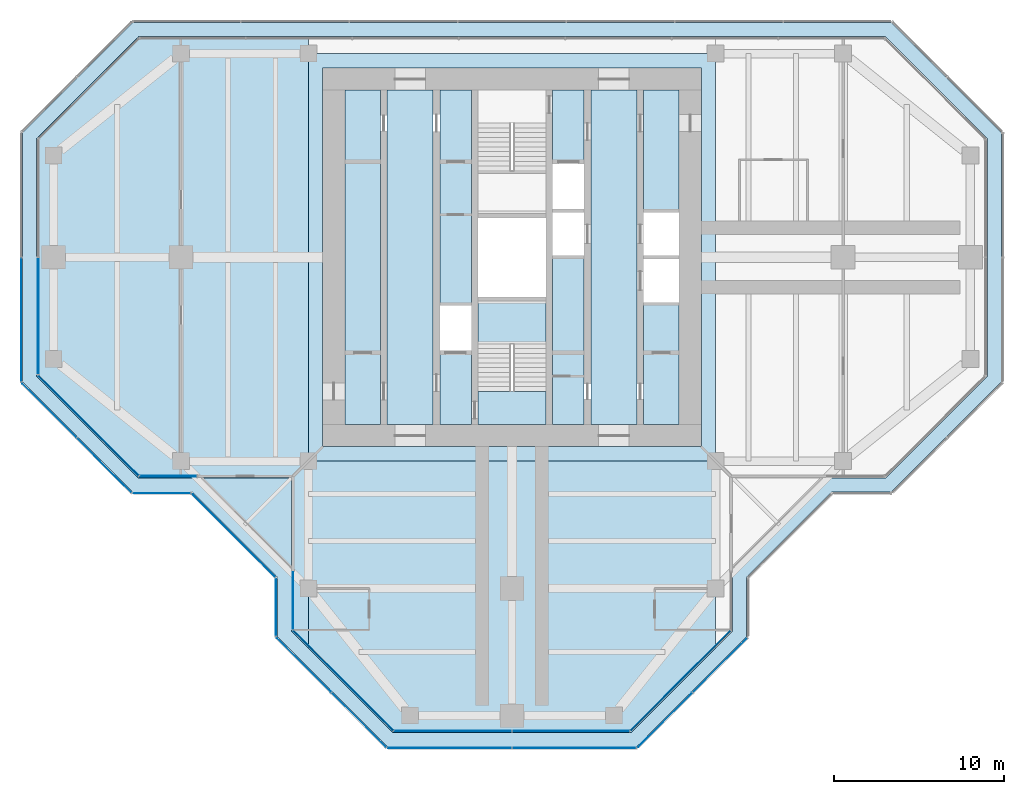
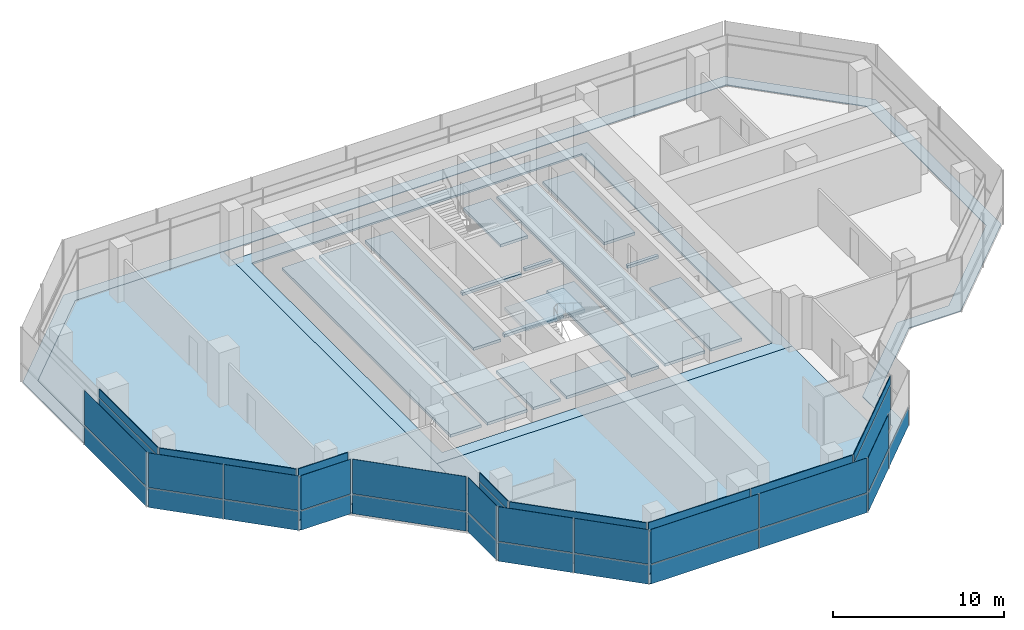
# One storey, part 9 of 15: 40 plates, 7 slabs, 16 elements without a shape of their own.
"""IFC4 building model written with IfcOpenShell, lengths in metres."""

import ifcopenshell
import ifcopenshell.guid

model = None  # the IFC model being written
_history = None  # IfcOwnerHistory: only IFC2X3 demands one
_inside = {}  # id of a spatial element -> (the spatial element, [elements in it])
_under = {}  # id of a project, library or spatial element -> (it, [spatial elements below it])
_declared = {}  # id of a project -> (the project, [libraries it declares])
_typed = {}  # id of a type object -> (the type object, [elements of that type])
_made_of = {}  # id of a material, layer set ... -> (it, [elements and type objects made of it])


def new_model(schema):
    """Start an empty IFC model of exactly this schema.

    Asked for "IFC4X3", IfcOpenShell would pick the latest addendum, in which some entities
    have other attributes; the version numbers below select the first issue.
    IFC2X3 requires an IfcOwnerHistory on every rooted entity: one is made here for all.
    """
    global model, _history
    if schema == "IFC4X3":
        model = ifcopenshell.file(schema_version=(4, 3, 0, 0))
    else:
        model = ifcopenshell.file(schema=schema)
    _inside.clear()
    _under.clear()
    _declared.clear()
    _typed.clear()
    _made_of.clear()
    _history = None
    if model.schema == "IFC2X3":
        org = make("IfcOrganization", Name="unknown")
        user = make(
            "IfcPersonAndOrganization",
            ThePerson=make("IfcPerson", FamilyName="unknown"),
            TheOrganization=org,
        )
        app = make(
            "IfcApplication",
            ApplicationDeveloper=org,
            Version="unknown",
            ApplicationFullName="unknown",
            ApplicationIdentifier="unknown",
        )
        _history = make(
            "IfcOwnerHistory",
            OwningUser=user,
            OwningApplication=app,
            ChangeAction="ADDED",
            CreationDate=0,
        )
    return model


def make(cls, **values):
    """One entity of the class cls with the attributes given. An attribute that is None is left unset."""
    return model.create_entity(
        cls, **{name: value for name, value in values.items() if value is not None}
    )


def rooted(cls, **values):
    """An entity with a GlobalId (a new one), such as an element, a storey or a relation."""
    return make(cls, GlobalId=ifcopenshell.guid.new(), OwnerHistory=_history, **values)


def si_unit(unit_type, name, prefix=None):
    """IfcSIUnit, for example si_unit("LENGTHUNIT", "METRE", prefix="MILLI")."""
    return make("IfcSIUnit", UnitType=unit_type, Prefix=prefix, Name=name)


def assignment(units):
    """IfcUnitAssignment: the units of a project."""
    return None if units is None else make("IfcUnitAssignment", Units=units)


def point(xyz):
    """IfcCartesianPoint."""
    return None if xyz is None else make("IfcCartesianPoint", Coordinates=xyz)


def direction(xyz):
    """IfcDirection."""
    return None if xyz is None else make("IfcDirection", DirectionRatios=xyz)


def frame(location, z_axis=None, x_axis=None):
    """IfcAxis2Placement3D, a coordinate frame: its origin and axes. An axis left out is left unset."""
    return make(
        "IfcAxis2Placement3D",
        Location=point(location),
        Axis=direction(z_axis),
        RefDirection=direction(x_axis),
    )


def frame_2d(location, x_axis=None):
    """IfcAxis2Placement2D, a coordinate frame in the plane: its origin and x axis."""
    return make(
        "IfcAxis2Placement2D", Location=point(location), RefDirection=direction(x_axis)
    )


def origin():
    """The frame at (0, 0, 0) with its axes left unset."""
    return frame((0.0, 0.0, 0.0))


def origin_2d():
    """The frame at (0, 0) in the plane with its x axis left unset."""
    return frame_2d((0.0, 0.0))


def place(relative_to, where):
    """IfcLocalPlacement: puts the frame where relative to a parent placement (None: the world)."""
    return make(
        "IfcLocalPlacement", PlacementRelTo=relative_to, RelativePlacement=where
    )


def context(
    kind, dimensions, precision=None, world=None, true_north=None, identifier=None
):
    """IfcGeometricRepresentationContext, for example the 3D "Model" context."""
    return make(
        "IfcGeometricRepresentationContext",
        ContextIdentifier=identifier,
        ContextType=kind,
        CoordinateSpaceDimension=dimensions,
        Precision=precision,
        WorldCoordinateSystem=world,
        TrueNorth=true_north,
    )


def subcontext(parent, identifier, kind, view, scale=None):
    """IfcGeometricRepresentationSubContext, for example "Body" below "Model"."""
    return make(
        "IfcGeometricRepresentationSubContext",
        ContextIdentifier=identifier,
        ContextType=kind,
        ParentContext=parent,
        TargetScale=scale,
        TargetView=view,
    )


def project(units=None, contexts=None):
    """IfcProject with its units and contexts."""
    return rooted(
        "IfcProject",
        Name="project",
        RepresentationContexts=contexts,
        UnitsInContext=assignment(units),
    )


def spatial(cls, under=None, at=None, **own):
    """A site, building, storey or space (cls), placed at a placement, below another one or the project."""
    s = rooted(cls, ObjectPlacement=at, **own)
    if under is not None:
        _under.setdefault(under.id(), (under, []))[1].append(s)
    return s


def polyline(points):
    """IfcPolyline through the points."""
    return make("IfcPolyline", Points=[point(p) for p in points])


def profile(cls, at=None, kind="AREA", **sizes):
    """A parametric profile (cls). Its sizes go by their IFC names, for example OverallWidth=200.0."""
    return make(cls, ProfileType=kind, Position=at, **sizes)


def rectangle(**sizes):
    """IfcRectangleProfileDef."""
    return profile("IfcRectangleProfileDef", **sizes)


def outline(outer, holes=None, kind="AREA"):
    """IfcArbitraryClosedProfileDef: a profile drawn as a closed curve; with holes, ...WithVoids."""
    if holes is None:
        return make("IfcArbitraryClosedProfileDef", ProfileType=kind, OuterCurve=outer)
    return make(
        "IfcArbitraryProfileDefWithVoids",
        ProfileType=kind,
        OuterCurve=outer,
        InnerCurves=holes,
    )


def extrude(swept, where, along, depth):
    """IfcExtrudedAreaSolid: the profile swept, set in the frame where, extruded along a direction by depth."""
    return make(
        "IfcExtrudedAreaSolid",
        SweptArea=swept,
        Position=where,
        ExtrudedDirection=direction(along),
        Depth=depth,
    )


def shape(context_of_items, identifier, shape_type, items):
    """IfcShapeRepresentation: the items that make up one representation, for example the "Body"."""
    return make(
        "IfcShapeRepresentation",
        ContextOfItems=context_of_items,
        RepresentationIdentifier=identifier,
        RepresentationType=shape_type,
        Items=items,
    )


def material(Name=None, Category=None):
    """IfcMaterial."""
    return make("IfcMaterial", Name=Name, Category=Category)


def layer(
    of_material, thickness, ventilated=None, Name=None, Category=None, Priority=None
):
    """IfcMaterialLayer: one layer of a wall or slab, of a material (None: an air gap)."""
    return make(
        "IfcMaterialLayer",
        Material=of_material,
        LayerThickness=thickness,
        IsVentilated=ventilated,
        Name=Name,
        Category=Category,
        Priority=Priority,
    )


def layer_set(layers, Name=None):
    """IfcMaterialLayerSet."""
    return make("IfcMaterialLayerSet", MaterialLayers=layers, LayerSetName=Name)


def made_of(thing, what):
    """Note that an element or type object is made of a material, layer set ...; save() writes the relation."""
    if what is not None:
        _made_of.setdefault(what.id(), (what, []))[1].append(thing)
    return thing


def type_object(cls, material=None, **own):
    """A type object (cls), such as IfcWallType, which elements share."""
    return made_of(rooted(cls, **own), material)


def element(
    cls,
    number,
    at=None,
    inside=None,
    cuts=None,
    type_object=None,
    material=None,
    context=None,
    identifier="Body",
    shape_type=None,
    held_by="IfcProductDefinitionShape",
    body=None,
    shapes=None,
    **own,
):
    """One element of the class cls, such as IfcWall. Its Tag is "e" and its number.

    at: its placement. inside: the storey or other place that contains it. cuts: it is an
    opening in that element (IfcRelVoidsElement). A single representation is given by context,
    identifier, shape_type and body (its items); several are given by shapes. held_by: the class
    of the entity that holds the representations. save() writes the other relations.
    """
    e = rooted(cls, Tag="e%d" % number, ObjectPlacement=at, **own)
    if body is not None:
        shapes = [shape(context, identifier, shape_type, body)]
    if shapes is not None:
        e.Representation = make(held_by, Representations=shapes)
    if inside is not None:
        _inside.setdefault(inside.id(), (inside, []))[1].append(e)
    if cuts is not None:
        rooted(
            "IfcRelVoidsElement", RelatingBuildingElement=cuts, RelatedOpeningElement=e
        )
    if type_object is not None:
        _typed.setdefault(type_object.id(), (type_object, []))[1].append(e)
    return made_of(e, material)


def aggregate(whole, parts):
    """IfcRelAggregates: a whole, such as a stair, and the parts it consists of."""
    return rooted("IfcRelAggregates", RelatingObject=whole, RelatedObjects=parts)


def save(model, path):
    """Write the relations noted so far, then the file.

    IfcRelAggregates (storeys below a building ...), IfcRelContainedInSpatialStructure (elements
    in a storey), IfcRelDefinesByType, IfcRelAssociatesMaterial and IfcRelDeclares: one each for
    every whole, place, type object, material and project.
    """
    for whole, parts in _under.values():
        aggregate(whole, parts)
    for where, things in _inside.values():
        rooted(
            "IfcRelContainedInSpatialStructure",
            RelatedElements=things,
            RelatingStructure=where,
        )
    for kind, things in _typed.values():
        rooted("IfcRelDefinesByType", RelatedObjects=things, RelatingType=kind)
    for what, things in _made_of.values():
        rooted("IfcRelAssociatesMaterial", RelatedObjects=things, RelatingMaterial=what)
    for by, libraries in _declared.values():
        rooted("IfcRelDeclares", RelatingContext=by, RelatedDefinitions=libraries)
    model.write(path)


model = new_model("IFC4")

# Units and contexts
model_context = context("Model", 3, precision=1e-05, world=origin(), true_north=direction((0.0, 1.0)))
body_context = subcontext(model_context, "Body", "Model", "MODEL_VIEW")
ifc_project = project(units=[si_unit("LENGTHUNIT", "METRE"), si_unit("AREAUNIT", "SQUARE_METRE"), si_unit("VOLUMEUNIT", "CUBIC_METRE"), si_unit("PLANEANGLEUNIT", "RADIAN"), si_unit("MASSUNIT", "GRAM", prefix="KILO")], contexts=[model_context])

# Site, building, storey
site_placement = place(None, origin())
site = spatial("IfcSite", under=ifc_project, at=site_placement, CompositionType="ELEMENT")
building_placement = place(site_placement, origin())
building = spatial("IfcBuilding", under=site, at=building_placement, Name="Mizan Broadcast Tower", CompositionType="ELEMENT")
storey_placement = place(building_placement, frame((0.0, 0.0, 302.39990234375)))
storey = spatial("IfcBuildingStorey", under=building, at=storey_placement, Name="L72", CompositionType="ELEMENT", Elevation=302.39990234375)

# Plate
ifc_material_1 = material(Name="Aluminium grating", Category="aluminium")
ifc_layer_1 = layer(ifc_material_1, 0.050048828125)
ifc_layer_set_1 = layer_set([ifc_layer_1], Name="Aluminium grating")
plate_type_1 = type_object("IfcPlateType", Name="CAVITY GRATING", PredefinedType="USERDEFINED", material=ifc_layer_set_1)
plate_1_placement = place(storey_placement, frame((0.0, 0.0, -0.0498046875)))
element("IfcPlate", 1, at=plate_1_placement, inside=storey, type_object=plate_type_1, Name="Cavity grating L72", ObjectType="GRATING", PredefinedType="USERDEFINED", context=body_context, shape_type="SweptSolid", body=[
    extrude(outline(polyline([(-22.339599609375, 13.820068359375), (-28.820068359375, 7.339599609375), (-28.820068359375, -7.339599609375), (-22.339599609375, -13.820068359375), (-18.839599609375, -13.820068359375), (-13.820068359375, -18.839599609375), (-13.820068359375, -22.339599609375), (-7.339599609375, -28.820068359375), (7.339599609375, -28.820068359375), (13.820068359375, -22.339599609375), (13.820068359375, -18.839599609375), (18.839599609375, -13.820068359375), (22.339599609375, -13.820068359375), (28.820068359375, -7.339599609375), (28.820068359375, 7.339599609375), (22.339599609375, 13.820068359375), (-22.339599609375, 13.820068359375)]), holes=[polyline([(-18.5, -13.0), (-22.0, -13.0), (-28.0, -7.0), (-28.0, 7.0), (-22.0, 13.0), (22.0, 13.0), (28.0, 7.0), (28.0, -7.0), (22.0, -13.0), (18.5, -13.0), (13.0, -18.5), (13.0, -22.0), (7.0, -28.0), (-7.0, -28.0), (-13.0, -22.0), (-13.0, -18.5), (-18.5, -13.0)])]), origin(), (0.0, 0.0, 1.0), 0.0498046875),
])

# Slabs
ifc_material_2 = material(Name="Concrete C32/40", Category="concrete")
ifc_layer_2 = layer(ifc_material_2, 0.1298828125)
ifc_layer_set_2 = layer_set([ifc_layer_2], Name="Concrete C32/40")
slab_type_1 = type_object("IfcSlabType", Name="COMPOSITE DECK SLAB 130", PredefinedType="FLOOR", material=ifc_layer_set_2)
slab_1_placement = place(storey_placement, frame((0.0, 0.0, -0.1298828125)))
element("IfcSlab", 2, at=slab_1_placement, inside=storey, type_object=slab_type_1, Name="Floor slab L72 centre", PredefinedType="FLOOR", context=body_context, shape_type="SweptSolid", body=[
    extrude(outline(polyline([(-12.0, -12.0), (12.0, -12.0), (12.0, 12.0), (-12.0, 12.0), (-12.0, -12.0)]), holes=[polyline([(-11.14990234375, 11.14990234375), (11.14990234375, 11.14990234375), (11.14990234375, -11.14990234375), (-11.14990234375, -11.14990234375), (-11.14990234375, 11.14990234375)])]), origin(), (0.0, 0.0, 1.0), 0.1298828125),
])
slab_2_placement = place(storey_placement, frame((0.0, 0.0, -0.1298828125)))
element("IfcSlab", 3, at=slab_2_placement, inside=storey, type_object=slab_type_1, Name="Floor slab L72 west arm", PredefinedType="FLOOR", context=body_context, shape_type="SweptSolid", body=[
    extrude(outline(polyline([(-13.0, -22.0), (-12.0, -23.0), (-12.0, 13.0), (-13.0, 13.0), (-22.0, 13.0), (-28.0, 7.0), (-28.0, -7.0), (-22.0, -13.0), (-13.0, -13.0), (-13.0, -22.0)])), origin(), (0.0, 0.0, 1.0), 0.1298828125),
])
slab_3_placement = place(storey_placement, frame((0.0, 0.0, -0.1298828125)))
element("IfcSlab", 4, at=slab_3_placement, inside=storey, type_object=slab_type_1, Name="Floor slab L72 south arm", PredefinedType="FLOOR", context=body_context, shape_type="SweptSolid", body=[
    extrude(outline(polyline([(7.0, -28.0), (12.0, -23.0), (12.0, -12.0), (-12.0, -12.0), (-12.0, -23.0), (-7.0, -28.0), (7.0, -28.0)])), origin(), (0.0, 0.0, 1.0), 0.1298828125),
])
ifc_material_3 = material(Name="Concrete C40/50", Category="concrete")
ifc_layer_3 = layer(ifc_material_3, 0.199951171875)
ifc_layer_set_3 = layer_set([ifc_layer_3], Name="Concrete C40/50")
slab_type_2 = type_object("IfcSlabType", Name="CORE FLOOR 200", PredefinedType="FLOOR", material=ifc_layer_set_3)
slab_4_placement = place(storey_placement, frame((0.0, 0.0, -0.199951171875)))
element("IfcSlab", 5, at=slab_4_placement, inside=storey, type_object=slab_type_2, Name="Core floor L72", PredefinedType="FLOOR", context=body_context, shape_type="SweptSolid", body=[
    extrude(outline(polyline([(-9.85009765625, -9.85009765625), (-7.75, -9.85009765625), (-7.75, 9.85009765625), (-9.85009765625, 9.85009765625), (-9.85009765625, -9.85009765625)])), origin(), (0.0, 0.0, 1.0), 0.199951171875),
    extrude(outline(polyline([(-4.64990234375, 9.85009765625), (-7.35009765625, 9.85009765625), (-7.35009765625, -9.85009765625), (-4.64990234375, -9.85009765625), (-4.64990234375, 9.85009765625)])), origin(), (0.0, 0.0, 1.0), 0.199951171875),
    extrude(outline(polyline([(-4.25, -5.5), (-4.25, -9.85009765625), (-2.39990234375, -9.85009765625), (-2.39990234375, -5.5), (-4.25, -5.5)])), origin(), (0.0, 0.0, 1.0), 0.199951171875),
    extrude(outline(polyline([(-4.25, -2.85009765625), (-2.39990234375, -2.85009765625), (-2.39990234375, 9.85009765625), (-4.25, 9.85009765625), (-4.25, -2.85009765625)])), origin(), (0.0, 0.0, 1.0), 0.199951171875),
    extrude(outline(polyline([(2.0, -2.324951171875), (-2.0, -2.324951171875), (-2.0, -2.574951171875), (2.0, -2.574951171875), (2.0, -2.324951171875)])), origin(), (0.0, 0.0, 1.0), 0.199951171875),
    extrude(outline(polyline([(2.0, 2.574951171875), (-2.0, 2.574951171875), (-2.0, 2.324951171875), (2.0, 2.324951171875), (2.0, 2.574951171875)])), origin(), (0.0, 0.0, 1.0), 0.199951171875),
    extrude(outline(polyline([(4.25, -9.85009765625), (4.25, 0.10009765625), (2.39990234375, 0.10009765625), (2.39990234375, -9.85009765625), (4.25, -9.85009765625)])), origin(), (0.0, 0.0, 1.0), 0.199951171875),
    extrude(outline(polyline([(4.25, 2.64990234375), (4.25, 2.85009765625), (2.39990234375, 2.85009765625), (2.39990234375, 2.64990234375), (4.25, 2.64990234375)])), origin(), (0.0, 0.0, 1.0), 0.199951171875),
    extrude(outline(polyline([(4.25, 5.5), (4.25, 9.85009765625), (2.39990234375, 9.85009765625), (2.39990234375, 5.5), (4.25, 5.5)])), origin(), (0.0, 0.0, 1.0), 0.199951171875),
    extrude(outline(polyline([(4.64990234375, 9.85009765625), (4.64990234375, -9.85009765625), (7.35009765625, -9.85009765625), (7.35009765625, 9.85009765625), (4.64990234375, 9.85009765625)])), origin(), (0.0, 0.0, 1.0), 0.199951171875),
    extrude(outline(polyline([(9.85009765625, -9.85009765625), (9.85009765625, -2.64990234375), (7.75, -2.64990234375), (7.75, -9.85009765625), (9.85009765625, -9.85009765625)])), origin(), (0.0, 0.0, 1.0), 0.199951171875),
    extrude(outline(polyline([(9.85009765625, -0.10009765625), (9.85009765625, 0.10009765625), (7.75, 0.10009765625), (7.75, -0.10009765625), (9.85009765625, -0.10009765625)])), origin(), (0.0, 0.0, 1.0), 0.199951171875),
    extrude(outline(polyline([(7.75, 9.85009765625), (7.75, 2.64990234375), (9.85009765625, 2.64990234375), (9.85009765625, 9.85009765625), (7.75, 9.85009765625)])), origin(), (0.0, 0.0, 1.0), 0.199951171875),
])

# Curtain wall, plate
ifc_material_4 = material(Name="Aluminium framed glazing", Category="aluminium")
curtain_wall_type_1 = type_object("IfcCurtainWallType", Name="INNER SKIN TOP ZONE", PredefinedType="USERDEFINED", material=ifc_material_4)
curtain_wall_1_placement = place(storey_placement, origin())
curtain_wall_1 = element("IfcCurtainWall", 6, at=curtain_wall_1_placement, inside=storey, type_object=curtain_wall_type_1, Name="Inner skin top zone L72 W end", ObjectType="INNER SKIN TOP ZONE", PredefinedType="USERDEFINED")
ifc_material_5 = material(Name="Double glazing, clear low-e", Category="glass")
ifc_layer_4 = layer(ifc_material_5, 0.028076171875)
ifc_layer_set_4 = layer_set([ifc_layer_4], Name="Double glazing, clear low-e")
plate_type_2 = type_object("IfcPlateType", Name="INNER SKIN GLAZING UNIT", PredefinedType="CURTAIN_PANEL", material=ifc_layer_set_4)
plate_2_placement = place(storey_placement, frame((-27.89990234375, -3.46435546875, 0.0), z_axis=(0.0, 0.0, 1.0), x_axis=(0.0, -1.0, 0.0)))
plate_2 = element("IfcPlate", 7, at=plate_2_placement, type_object=plate_type_2, Name="Inner skin top zone L72 W end panel 2.1", PredefinedType="CURTAIN_PANEL", context=body_context, shape_type="SweptSolid", body=[
    extrude(rectangle(XDim=6.86865234375, YDim=0.028076171875, at=origin_2d()), origin(), (0.0, 0.0, 1.0), 3.0),
])

curtain_wall_2_placement = place(storey_placement, origin())
curtain_wall_2 = element("IfcCurtainWall", 8, at=curtain_wall_2_placement, inside=storey, type_object=curtain_wall_type_1, Name="Inner skin top zone L72 W chamfer", ObjectType="INNER SKIN TOP ZONE", PredefinedType="USERDEFINED")
plate_3_placement = place(storey_placement, frame((-24.92919921875, -9.92919921875, 0.0), z_axis=(0.0, 0.0, 1.0), x_axis=(0.707106781187, -0.707106781187, 0.0)))
plate_3 = element("IfcPlate", 9, at=plate_3_placement, type_object=plate_type_2, Name="Inner skin top zone L72 W chamfer panel 1.1", PredefinedType="CURTAIN_PANEL", context=body_context, shape_type="SweptSolid", body=[
    extrude(rectangle(XDim=8.282470703125, YDim=0.028076171875, at=origin_2d()), origin(), (0.0, 0.0, 1.0), 3.0),
])

curtain_wall_3_placement = place(storey_placement, origin())
curtain_wall_3 = element("IfcCurtainWall", 10, at=curtain_wall_3_placement, inside=storey, type_object=curtain_wall_type_1, Name="Inner skin top zone L72 W side", ObjectType="INNER SKIN TOP ZONE", PredefinedType="USERDEFINED")
plate_4_placement = place(storey_placement, frame((-20.229248046875, -12.89990234375, 0.0), z_axis=(0.0, 0.0, 1.0), x_axis=(1.0, 0.0, 0.0)))
plate_4 = element("IfcPlate", 11, at=plate_4_placement, type_object=plate_type_2, Name="Inner skin top zone L72 W side panel 1.1", PredefinedType="CURTAIN_PANEL", context=body_context, shape_type="SweptSolid", body=[
    extrude(rectangle(XDim=3.338623046875, YDim=0.028076171875, at=origin_2d()), origin(), (0.0, 0.0, 1.0), 3.0),
])

curtain_wall_4_placement = place(storey_placement, origin())
curtain_wall_4 = element("IfcCurtainWall", 12, at=curtain_wall_4_placement, inside=storey, type_object=curtain_wall_type_1, Name="Inner skin top zone L72 S side", ObjectType="INNER SKIN TOP ZONE", PredefinedType="USERDEFINED")
plate_5_placement = place(storey_placement, frame((-12.89990234375, -20.229248046875, 0.0), z_axis=(0.0, 0.0, 1.0), x_axis=(0.0, -1.0, 0.0)))
plate_5 = element("IfcPlate", 13, at=plate_5_placement, type_object=plate_type_2, Name="Inner skin top zone L72 S side panel 1.1", PredefinedType="CURTAIN_PANEL", context=body_context, shape_type="SweptSolid", body=[
    extrude(rectangle(XDim=3.338623046875, YDim=0.028076171875, at=origin_2d()), origin(), (0.0, 0.0, 1.0), 3.0),
])

curtain_wall_5_placement = place(storey_placement, origin())
curtain_wall_5 = element("IfcCurtainWall", 14, at=curtain_wall_5_placement, inside=storey, type_object=curtain_wall_type_1, Name="Inner skin top zone L72 S chamfer", ObjectType="INNER SKIN TOP ZONE", PredefinedType="USERDEFINED")
plate_6_placement = place(storey_placement, frame((-9.92919921875, -24.92919921875, 0.0), z_axis=(0.0, 0.0, 1.0), x_axis=(0.707106781187, -0.707106781187, 0.0)))
plate_6 = element("IfcPlate", 15, at=plate_6_placement, type_object=plate_type_2, Name="Inner skin top zone L72 S chamfer panel 1.1", PredefinedType="CURTAIN_PANEL", context=body_context, shape_type="SweptSolid", body=[
    extrude(rectangle(XDim=8.282470703125, YDim=0.028076171875, at=origin_2d()), origin(), (0.0, 0.0, 1.0), 3.0),
])

# Curtain wall, plates
curtain_wall_6_placement = place(storey_placement, origin())
curtain_wall_6 = element("IfcCurtainWall", 16, at=curtain_wall_6_placement, inside=storey, type_object=curtain_wall_type_1, Name="Inner skin top zone L72 S end", ObjectType="INNER SKIN TOP ZONE", PredefinedType="USERDEFINED")
plate_7_placement = place(storey_placement, frame((-3.46435546875, -27.89990234375, 0.0), z_axis=(0.0, 0.0, 1.0), x_axis=(1.0, 0.0, 0.0)))
plate_7 = element("IfcPlate", 17, at=plate_7_placement, type_object=plate_type_2, Name="Inner skin top zone L72 S end panel 1.1", PredefinedType="CURTAIN_PANEL", context=body_context, shape_type="SweptSolid", body=[
    extrude(rectangle(XDim=6.86865234375, YDim=0.028076171875, at=origin_2d()), origin(), (0.0, 0.0, 1.0), 3.0),
])
plate_8_placement = place(storey_placement, frame((3.46435546875, -27.89990234375, 0.0), z_axis=(0.0, 0.0, 1.0), x_axis=(1.0, 0.0, 0.0)))
plate_8 = element("IfcPlate", 18, at=plate_8_placement, type_object=plate_type_2, Name="Inner skin top zone L72 S end panel 2.1", PredefinedType="CURTAIN_PANEL", context=body_context, shape_type="SweptSolid", body=[
    extrude(rectangle(XDim=6.86865234375, YDim=0.028076171875, at=origin_2d()), origin(), (0.0, 0.0, 1.0), 3.0),
])

# Curtain wall, plate
curtain_wall_7_placement = place(storey_placement, origin())
curtain_wall_7 = element("IfcCurtainWall", 19, at=curtain_wall_7_placement, inside=storey, type_object=curtain_wall_type_1, Name="Inner skin top zone L72 S chamfer", ObjectType="INNER SKIN TOP ZONE", PredefinedType="USERDEFINED")
plate_9_placement = place(storey_placement, frame((9.92919921875, -24.92919921875, 0.0), z_axis=(0.0, 0.0, 1.0), x_axis=(0.707106781187, 0.707106781187, 0.0)))
plate_9 = element("IfcPlate", 20, at=plate_9_placement, type_object=plate_type_2, Name="Inner skin top zone L72 S chamfer panel 1.1", PredefinedType="CURTAIN_PANEL", context=body_context, shape_type="SweptSolid", body=[
    extrude(rectangle(XDim=8.282470703125, YDim=0.028076171875, at=origin_2d()), origin(), (0.0, 0.0, 1.0), 3.0),
])

# Plate
ifc_material_6 = material(Name="Insulated aluminium spandrel panel, pale anodised", Category="aluminium")
ifc_layer_5 = layer(ifc_material_6, 0.050048828125)
ifc_layer_set_5 = layer_set([ifc_layer_5], Name="Insulated aluminium spandrel panel, pale anodised")
plate_type_3 = type_object("IfcPlateType", Name="INNER SKIN SPANDREL PANEL", PredefinedType="CURTAIN_PANEL", material=ifc_layer_set_5)
plate_10_placement = place(storey_placement, frame((-27.89990234375, -3.46435546875, 3.06005859375), z_axis=(0.0, 0.0, 1.0), x_axis=(0.0, -1.0, 0.0)))
plate_10 = element("IfcPlate", 21, at=plate_10_placement, type_object=plate_type_3, Name="Inner skin top zone L72 W end panel 2.2", PredefinedType="CURTAIN_PANEL", context=body_context, shape_type="SweptSolid", body=[
    extrude(rectangle(XDim=6.86865234375, YDim=0.050048828125, at=origin_2d()), origin(), (0.0, 0.0, 1.0), 0.590087890625),
])

aggregate(curtain_wall_1, [plate_2, plate_10])

plate_11_placement = place(storey_placement, frame((-24.92919921875, -9.92919921875, 3.06005859375), z_axis=(0.0, 0.0, 1.0), x_axis=(0.707106781187, -0.707106781187, 0.0)))
plate_11 = element("IfcPlate", 22, at=plate_11_placement, type_object=plate_type_3, Name="Inner skin top zone L72 W chamfer panel 1.2", PredefinedType="CURTAIN_PANEL", context=body_context, shape_type="SweptSolid", body=[
    extrude(rectangle(XDim=8.282470703125, YDim=0.050048828125, at=origin_2d()), origin(), (0.0, 0.0, 1.0), 0.590087890625),
])

aggregate(curtain_wall_2, [plate_3, plate_11])

plate_12_placement = place(storey_placement, frame((-20.229248046875, -12.89990234375, 3.06005859375), z_axis=(0.0, 0.0, 1.0), x_axis=(1.0, 0.0, 0.0)))
plate_12 = element("IfcPlate", 23, at=plate_12_placement, type_object=plate_type_3, Name="Inner skin top zone L72 W side panel 1.2", PredefinedType="CURTAIN_PANEL", context=body_context, shape_type="SweptSolid", body=[
    extrude(rectangle(XDim=3.338623046875, YDim=0.050048828125, at=origin_2d()), origin(), (0.0, 0.0, 1.0), 0.590087890625),
])

aggregate(curtain_wall_3, [plate_4, plate_12])

plate_13_placement = place(storey_placement, frame((-12.89990234375, -20.229248046875, 3.06005859375), z_axis=(0.0, 0.0, 1.0), x_axis=(0.0, -1.0, 0.0)))
plate_13 = element("IfcPlate", 24, at=plate_13_placement, type_object=plate_type_3, Name="Inner skin top zone L72 S side panel 1.2", PredefinedType="CURTAIN_PANEL", context=body_context, shape_type="SweptSolid", body=[
    extrude(rectangle(XDim=3.338623046875, YDim=0.050048828125, at=origin_2d()), origin(), (0.0, 0.0, 1.0), 0.590087890625),
])

aggregate(curtain_wall_4, [plate_5, plate_13])

plate_14_placement = place(storey_placement, frame((-9.92919921875, -24.92919921875, 3.06005859375), z_axis=(0.0, 0.0, 1.0), x_axis=(0.707106781187, -0.707106781187, 0.0)))
plate_14 = element("IfcPlate", 25, at=plate_14_placement, type_object=plate_type_3, Name="Inner skin top zone L72 S chamfer panel 1.2", PredefinedType="CURTAIN_PANEL", context=body_context, shape_type="SweptSolid", body=[
    extrude(rectangle(XDim=8.282470703125, YDim=0.050048828125, at=origin_2d()), origin(), (0.0, 0.0, 1.0), 0.590087890625),
])

aggregate(curtain_wall_5, [plate_6, plate_14])

plate_15_placement = place(storey_placement, frame((-3.46435546875, -27.89990234375, 3.06005859375), z_axis=(0.0, 0.0, 1.0), x_axis=(1.0, 0.0, 0.0)))
plate_15 = element("IfcPlate", 26, at=plate_15_placement, type_object=plate_type_3, Name="Inner skin top zone L72 S end panel 1.2", PredefinedType="CURTAIN_PANEL", context=body_context, shape_type="SweptSolid", body=[
    extrude(rectangle(XDim=6.86865234375, YDim=0.050048828125, at=origin_2d()), origin(), (0.0, 0.0, 1.0), 0.590087890625),
])

plate_16_placement = place(storey_placement, frame((3.46435546875, -27.89990234375, 3.06005859375), z_axis=(0.0, 0.0, 1.0), x_axis=(1.0, 0.0, 0.0)))
plate_16 = element("IfcPlate", 27, at=plate_16_placement, type_object=plate_type_3, Name="Inner skin top zone L72 S end panel 2.2", PredefinedType="CURTAIN_PANEL", context=body_context, shape_type="SweptSolid", body=[
    extrude(rectangle(XDim=6.86865234375, YDim=0.050048828125, at=origin_2d()), origin(), (0.0, 0.0, 1.0), 0.590087890625),
])

aggregate(curtain_wall_6, [plate_7, plate_15, plate_8, plate_16])

plate_17_placement = place(storey_placement, frame((9.92919921875, -24.92919921875, 3.06005859375), z_axis=(0.0, 0.0, 1.0), x_axis=(0.707106781187, 0.707106781187, 0.0)))
plate_17 = element("IfcPlate", 28, at=plate_17_placement, type_object=plate_type_3, Name="Inner skin top zone L72 S chamfer panel 1.2", PredefinedType="CURTAIN_PANEL", context=body_context, shape_type="SweptSolid", body=[
    extrude(rectangle(XDim=8.282470703125, YDim=0.050048828125, at=origin_2d()), origin(), (0.0, 0.0, 1.0), 0.590087890625),
])

aggregate(curtain_wall_7, [plate_9, plate_17])

# Curtain wall, plates
ifc_material_7 = material(Name="Aluminium framed glazing", Category="aluminium")
curtain_wall_type_2 = type_object("IfcCurtainWallType", Name="OUTER SKIN", PredefinedType="USERDEFINED", material=ifc_material_7)
curtain_wall_8_placement = place(storey_placement, origin())
curtain_wall_8 = element("IfcCurtainWall", 29, at=curtain_wall_8_placement, inside=storey, type_object=curtain_wall_type_2, Name="Outer skin L72 W chamfer", ObjectType="OUTER SKIN", PredefinedType="USERDEFINED")
ifc_material_8 = material(Name="Laminated clear glass", Category="glass")
ifc_layer_6 = layer(ifc_material_8, 0.02001953125)
ifc_layer_set_6 = layer_set([ifc_layer_6], Name="Laminated clear glass")
plate_type_4 = type_object("IfcPlateType", Name="OUTER SKIN CLEAR GLASS", PredefinedType="CURTAIN_PANEL", material=ifc_layer_set_6)
plate_18_placement = place(storey_placement, frame((-27.254150390625, -9.018798828125, 0.0), z_axis=(0.0, 0.0, 1.0), x_axis=(0.707106781187, -0.707106781187, 0.0)))
plate_18 = element("IfcPlate", 30, at=plate_18_placement, type_object=plate_type_4, Name="Outer skin L72 W chamfer panel 1.1", PredefinedType="CURTAIN_PANEL", context=body_context, shape_type="SweptSolid", body=[
    extrude(rectangle(XDim=4.495361328125, YDim=0.02001953125, at=origin_2d()), origin(), (0.0, 0.0, 1.0), 1.3701171875),
])
plate_19_placement = place(storey_placement, frame((-27.254150390625, -9.018798828125, 1.43017578125), z_axis=(0.0, 0.0, 1.0), x_axis=(0.707106781187, -0.707106781187, 0.0)))
plate_19 = element("IfcPlate", 31, at=plate_19_placement, type_object=plate_type_4, Name="Outer skin L72 W chamfer panel 1.2", PredefinedType="CURTAIN_PANEL", context=body_context, shape_type="SweptSolid", body=[
    extrude(rectangle(XDim=4.495361328125, YDim=0.02001953125, at=origin_2d()), origin(), (0.0, 0.0, 1.0), 2.469970703125),
])

curtain_wall_9_placement = place(storey_placement, origin())
curtain_wall_9 = element("IfcCurtainWall", 32, at=curtain_wall_9_placement, inside=storey, type_object=curtain_wall_type_2, Name="Outer skin L72 W side", ObjectType="OUTER SKIN", PredefinedType="USERDEFINED")
plate_20_placement = place(storey_placement, frame((-20.622802734375, -13.89990234375, 0.0), z_axis=(0.0, 0.0, 1.0), x_axis=(1.0, 0.0, 0.0)))
plate_20 = element("IfcPlate", 33, at=plate_20_placement, type_object=plate_type_4, Name="Outer skin L72 W side panel 1.1", PredefinedType="CURTAIN_PANEL", context=body_context, shape_type="SweptSolid", body=[
    extrude(rectangle(XDim=3.340087890625, YDim=0.02001953125, at=origin_2d()), origin(), (0.0, 0.0, 1.0), 1.3701171875),
])
plate_21_placement = place(storey_placement, frame((-20.622802734375, -13.89990234375, 1.43017578125), z_axis=(0.0, 0.0, 1.0), x_axis=(1.0, 0.0, 0.0)))
plate_21 = element("IfcPlate", 34, at=plate_21_placement, type_object=plate_type_4, Name="Outer skin L72 W side panel 1.2", PredefinedType="CURTAIN_PANEL", context=body_context, shape_type="SweptSolid", body=[
    extrude(rectangle(XDim=3.340087890625, YDim=0.02001953125, at=origin_2d()), origin(), (0.0, 0.0, 1.0), 2.469970703125),
])
aggregate(curtain_wall_9, [plate_20, plate_21])

curtain_wall_10_placement = place(storey_placement, origin())
curtain_wall_10 = element("IfcCurtainWall", 35, at=curtain_wall_10_placement, inside=storey, type_object=curtain_wall_type_2, Name="Outer skin L72 W chamfer", ObjectType="OUTER SKIN", PredefinedType="USERDEFINED")
plate_22_placement = place(storey_placement, frame((-16.386474609375, -16.386474609375, 0.0), z_axis=(0.0, 0.0, 1.0), x_axis=(0.707106781187, -0.707106781187, 0.0)))
plate_22 = element("IfcPlate", 36, at=plate_22_placement, type_object=plate_type_4, Name="Outer skin L72 W chamfer panel 1.1", PredefinedType="CURTAIN_PANEL", context=body_context, shape_type="SweptSolid", body=[
    extrude(rectangle(XDim=6.87255859375, YDim=0.02001953125, at=origin_2d()), origin(), (0.0, 0.0, 1.0), 1.3701171875),
])
plate_23_placement = place(storey_placement, frame((-16.386474609375, -16.386474609375, 1.43017578125), z_axis=(0.0, 0.0, 1.0), x_axis=(0.707106781187, -0.707106781187, 0.0)))
plate_23 = element("IfcPlate", 37, at=plate_23_placement, type_object=plate_type_4, Name="Outer skin L72 W chamfer panel 1.2", PredefinedType="CURTAIN_PANEL", context=body_context, shape_type="SweptSolid", body=[
    extrude(rectangle(XDim=6.87255859375, YDim=0.02001953125, at=origin_2d()), origin(), (0.0, 0.0, 1.0), 2.469970703125),
])
aggregate(curtain_wall_10, [plate_22, plate_23])

curtain_wall_11_placement = place(storey_placement, origin())
curtain_wall_11 = element("IfcCurtainWall", 38, at=curtain_wall_11_placement, inside=storey, type_object=curtain_wall_type_2, Name="Outer skin L72 S side", ObjectType="OUTER SKIN", PredefinedType="USERDEFINED")
plate_24_placement = place(storey_placement, frame((-13.89990234375, -20.622802734375, 0.0), z_axis=(0.0, 0.0, 1.0), x_axis=(0.0, -1.0, 0.0)))
plate_24 = element("IfcPlate", 39, at=plate_24_placement, type_object=plate_type_4, Name="Outer skin L72 S side panel 1.1", PredefinedType="CURTAIN_PANEL", context=body_context, shape_type="SweptSolid", body=[
    extrude(rectangle(XDim=3.340087890625, YDim=0.02001953125, at=origin_2d()), origin(), (0.0, 0.0, 1.0), 1.3701171875),
])
plate_25_placement = place(storey_placement, frame((-13.89990234375, -20.622802734375, 1.43017578125), z_axis=(0.0, 0.0, 1.0), x_axis=(0.0, -1.0, 0.0)))
plate_25 = element("IfcPlate", 40, at=plate_25_placement, type_object=plate_type_4, Name="Outer skin L72 S side panel 1.2", PredefinedType="CURTAIN_PANEL", context=body_context, shape_type="SweptSolid", body=[
    extrude(rectangle(XDim=3.340087890625, YDim=0.02001953125, at=origin_2d()), origin(), (0.0, 0.0, 1.0), 2.469970703125),
])
aggregate(curtain_wall_11, [plate_24, plate_25])

curtain_wall_12_placement = place(storey_placement, origin())
curtain_wall_12 = element("IfcCurtainWall", 41, at=curtain_wall_12_placement, inside=storey, type_object=curtain_wall_type_2, Name="Outer skin L72 S chamfer", ObjectType="OUTER SKIN", PredefinedType="USERDEFINED")
plate_26_placement = place(storey_placement, frame((-12.254150390625, -24.018798828125, 0.0), z_axis=(0.0, 0.0, 1.0), x_axis=(0.707106781187, -0.707106781187, 0.0)))
plate_26 = element("IfcPlate", 42, at=plate_26_placement, type_object=plate_type_4, Name="Outer skin L72 S chamfer panel 1.1", PredefinedType="CURTAIN_PANEL", context=body_context, shape_type="SweptSolid", body=[
    extrude(rectangle(XDim=4.495361328125, YDim=0.02001953125, at=origin_2d()), origin(), (0.0, 0.0, 1.0), 1.3701171875),
])
plate_27_placement = place(storey_placement, frame((-12.254150390625, -24.018798828125, 1.43017578125), z_axis=(0.0, 0.0, 1.0), x_axis=(0.707106781187, -0.707106781187, 0.0)))
plate_27 = element("IfcPlate", 43, at=plate_27_placement, type_object=plate_type_4, Name="Outer skin L72 S chamfer panel 1.2", PredefinedType="CURTAIN_PANEL", context=body_context, shape_type="SweptSolid", body=[
    extrude(rectangle(XDim=4.495361328125, YDim=0.02001953125, at=origin_2d()), origin(), (0.0, 0.0, 1.0), 2.469970703125),
])

curtain_wall_13_placement = place(storey_placement, origin())
curtain_wall_13 = element("IfcCurtainWall", 44, at=curtain_wall_13_placement, inside=storey, type_object=curtain_wall_type_2, Name="Outer skin L72 S end", ObjectType="OUTER SKIN", PredefinedType="USERDEFINED")
plate_28_placement = place(storey_placement, frame((-3.66650390625, -28.89990234375, 0.0), z_axis=(0.0, 0.0, 1.0), x_axis=(1.0, 0.0, 0.0)))
plate_28 = element("IfcPlate", 45, at=plate_28_placement, type_object=plate_type_4, Name="Outer skin L72 S end panel 1.1", PredefinedType="CURTAIN_PANEL", context=body_context, shape_type="SweptSolid", body=[
    extrude(rectangle(XDim=7.252685546875, YDim=0.02001953125, at=origin_2d()), origin(), (0.0, 0.0, 1.0), 1.3701171875),
])
plate_29_placement = place(storey_placement, frame((-3.66650390625, -28.89990234375, 1.43017578125), z_axis=(0.0, 0.0, 1.0), x_axis=(1.0, 0.0, 0.0)))
plate_29 = element("IfcPlate", 46, at=plate_29_placement, type_object=plate_type_4, Name="Outer skin L72 S end panel 1.2", PredefinedType="CURTAIN_PANEL", context=body_context, shape_type="SweptSolid", body=[
    extrude(rectangle(XDim=7.252685546875, YDim=0.02001953125, at=origin_2d()), origin(), (0.0, 0.0, 1.0), 2.469970703125),
])

curtain_wall_14_placement = place(storey_placement, origin())
curtain_wall_14 = element("IfcCurtainWall", 47, at=curtain_wall_14_placement, inside=storey, type_object=curtain_wall_type_2, Name="Outer skin L72 S chamfer", ObjectType="OUTER SKIN", PredefinedType="USERDEFINED")
plate_30_placement = place(storey_placement, frame((9.018798828125, -27.254150390625, 0.0), z_axis=(0.0, 0.0, 1.0), x_axis=(0.707106781187, 0.707106781187, 0.0)))
plate_30 = element("IfcPlate", 48, at=plate_30_placement, type_object=plate_type_4, Name="Outer skin L72 S chamfer panel 1.1", PredefinedType="CURTAIN_PANEL", context=body_context, shape_type="SweptSolid", body=[
    extrude(rectangle(XDim=4.495361328125, YDim=0.02001953125, at=origin_2d()), origin(), (0.0, 0.0, 1.0), 1.3701171875),
])
plate_31_placement = place(storey_placement, frame((9.018798828125, -27.254150390625, 1.43017578125), z_axis=(0.0, 0.0, 1.0), x_axis=(0.707106781187, 0.707106781187, 0.0)))
plate_31 = element("IfcPlate", 49, at=plate_31_placement, type_object=plate_type_4, Name="Outer skin L72 S chamfer panel 1.2", PredefinedType="CURTAIN_PANEL", context=body_context, shape_type="SweptSolid", body=[
    extrude(rectangle(XDim=4.495361328125, YDim=0.02001953125, at=origin_2d()), origin(), (0.0, 0.0, 1.0), 2.469970703125),
])

# Plate
ifc_material_9 = material(Name="Perforated aluminium, pale anodised", Category="aluminium")
ifc_layer_7 = layer(ifc_material_9, 0.011962890625)
ifc_layer_set_7 = layer_set([ifc_layer_7], Name="Perforated aluminium, pale anodised")
plate_type_5 = type_object("IfcPlateType", Name="OUTER SKIN PERFORATED SCREEN", PredefinedType="USERDEFINED", material=ifc_layer_set_7)
plate_32_placement = place(storey_placement, frame((-24.018798828125, -12.254150390625, 0.0), z_axis=(0.0, 0.0, 1.0), x_axis=(0.707106781187, -0.707106781187, 0.0)))
plate_32 = element("IfcPlate", 50, at=plate_32_placement, type_object=plate_type_5, Name="Outer skin L72 W chamfer panel 2.1", ObjectType="SCREEN", PredefinedType="USERDEFINED", context=body_context, shape_type="SweptSolid", body=[
    extrude(rectangle(XDim=4.495361328125, YDim=0.011962890625, at=origin_2d()), origin(), (0.0, 0.0, 1.0), 1.3701171875),
])

plate_33_placement = place(storey_placement, frame((-24.018798828125, -12.254150390625, 1.43017578125), z_axis=(0.0, 0.0, 1.0), x_axis=(0.707106781187, -0.707106781187, 0.0)))
plate_33 = element("IfcPlate", 51, at=plate_33_placement, type_object=plate_type_5, Name="Outer skin L72 W chamfer panel 2.2", ObjectType="SCREEN", PredefinedType="USERDEFINED", context=body_context, shape_type="SweptSolid", body=[
    extrude(rectangle(XDim=4.495361328125, YDim=0.011962890625, at=origin_2d()), origin(), (0.0, 0.0, 1.0), 2.469970703125),
])

aggregate(curtain_wall_8, [plate_18, plate_19, plate_32, plate_33])

plate_34_placement = place(storey_placement, frame((-9.018798828125, -27.254150390625, 0.0), z_axis=(0.0, 0.0, 1.0), x_axis=(0.707106781187, -0.707106781187, 0.0)))
plate_34 = element("IfcPlate", 52, at=plate_34_placement, type_object=plate_type_5, Name="Outer skin L72 S chamfer panel 2.1", ObjectType="SCREEN", PredefinedType="USERDEFINED", context=body_context, shape_type="SweptSolid", body=[
    extrude(rectangle(XDim=4.495361328125, YDim=0.011962890625, at=origin_2d()), origin(), (0.0, 0.0, 1.0), 1.3701171875),
])

plate_35_placement = place(storey_placement, frame((-9.018798828125, -27.254150390625, 1.43017578125), z_axis=(0.0, 0.0, 1.0), x_axis=(0.707106781187, -0.707106781187, 0.0)))
plate_35 = element("IfcPlate", 53, at=plate_35_placement, type_object=plate_type_5, Name="Outer skin L72 S chamfer panel 2.2", ObjectType="SCREEN", PredefinedType="USERDEFINED", context=body_context, shape_type="SweptSolid", body=[
    extrude(rectangle(XDim=4.495361328125, YDim=0.011962890625, at=origin_2d()), origin(), (0.0, 0.0, 1.0), 2.469970703125),
])

aggregate(curtain_wall_12, [plate_26, plate_27, plate_34, plate_35])

plate_36_placement = place(storey_placement, frame((3.66650390625, -28.89990234375, 0.0), z_axis=(0.0, 0.0, 1.0), x_axis=(1.0, 0.0, 0.0)))
plate_36 = element("IfcPlate", 54, at=plate_36_placement, type_object=plate_type_5, Name="Outer skin L72 S end panel 2.1", ObjectType="SCREEN", PredefinedType="USERDEFINED", context=body_context, shape_type="SweptSolid", body=[
    extrude(rectangle(XDim=7.252685546875, YDim=0.011962890625, at=origin_2d()), origin(), (0.0, 0.0, 1.0), 1.3701171875),
])

plate_37_placement = place(storey_placement, frame((3.66650390625, -28.89990234375, 1.43017578125), z_axis=(0.0, 0.0, 1.0), x_axis=(1.0, 0.0, 0.0)))
plate_37 = element("IfcPlate", 55, at=plate_37_placement, type_object=plate_type_5, Name="Outer skin L72 S end panel 2.2", ObjectType="SCREEN", PredefinedType="USERDEFINED", context=body_context, shape_type="SweptSolid", body=[
    extrude(rectangle(XDim=7.252685546875, YDim=0.011962890625, at=origin_2d()), origin(), (0.0, 0.0, 1.0), 2.469970703125),
])

aggregate(curtain_wall_13, [plate_28, plate_29, plate_36, plate_37])

plate_38_placement = place(storey_placement, frame((12.254150390625, -24.018798828125, 0.0), z_axis=(0.0, 0.0, 1.0), x_axis=(0.707106781187, 0.707106781187, 0.0)))
plate_38 = element("IfcPlate", 56, at=plate_38_placement, type_object=plate_type_5, Name="Outer skin L72 S chamfer panel 2.1", ObjectType="SCREEN", PredefinedType="USERDEFINED", context=body_context, shape_type="SweptSolid", body=[
    extrude(rectangle(XDim=4.495361328125, YDim=0.011962890625, at=origin_2d()), origin(), (0.0, 0.0, 1.0), 1.3701171875),
])

aggregate(curtain_wall_14, [plate_30, plate_31, plate_38])

# Curtain wall, plates
curtain_wall_15_placement = place(storey_placement, origin())
curtain_wall_15 = element("IfcCurtainWall", 57, at=curtain_wall_15_placement, inside=storey, type_object=curtain_wall_type_2, Name="Outer skin L72 W end", ObjectType="OUTER SKIN", PredefinedType="USERDEFINED")
plate_39_placement = place(storey_placement, frame((-28.89990234375, -3.66650390625, 0.0), z_axis=(0.0, 0.0, 1.0), x_axis=(0.0, -1.0, 0.0)))
plate_39 = element("IfcPlate", 58, at=plate_39_placement, type_object=plate_type_5, Name="Outer skin L72 W end panel 2.1", ObjectType="SCREEN", PredefinedType="USERDEFINED", context=body_context, shape_type="SweptSolid", body=[
    extrude(rectangle(XDim=7.252685546875, YDim=0.011962890625, at=origin_2d()), origin(), (0.0, 0.0, 1.0), 1.3701171875),
])
plate_40_placement = place(storey_placement, frame((-28.89990234375, -3.66650390625, 1.43017578125), z_axis=(0.0, 0.0, 1.0), x_axis=(0.0, -1.0, 0.0)))
plate_40 = element("IfcPlate", 59, at=plate_40_placement, type_object=plate_type_5, Name="Outer skin L72 W end panel 2.2", ObjectType="SCREEN", PredefinedType="USERDEFINED", context=body_context, shape_type="SweptSolid", body=[
    extrude(rectangle(XDim=7.252685546875, YDim=0.011962890625, at=origin_2d()), origin(), (0.0, 0.0, 1.0), 2.469970703125),
])
aggregate(curtain_wall_15, [plate_39, plate_40])

# Stair, slabs
ifc_material_10 = material(Name="Concrete C40/50", Category="concrete")
stair_type = type_object("IfcStairType", Name="EXIT STAIR", PredefinedType="HALF_TURN_STAIR", material=ifc_material_10)
stair_placement = place(storey_placement, origin())
stair = element("IfcStair", 60, at=stair_placement, inside=storey, type_object=stair_type, Name="Stair A L72", PredefinedType="HALF_TURN_STAIR")
ifc_material_11 = material(Name="Concrete C40/50", Category="concrete")
ifc_layer_8 = layer(ifc_material_11, 0.199951171875)
ifc_layer_set_8 = layer_set([ifc_layer_8], Name="Concrete C40/50")
slab_type_3 = type_object("IfcSlabType", Name="STAIR LANDING 200", PredefinedType="LANDING", material=ifc_layer_set_8)
slab_5_placement = place(storey_placement, frame((0.0, 0.0, -0.199951171875)))
slab_5 = element("IfcSlab", 61, at=slab_5_placement, type_object=slab_type_3, Name="A landing 1", PredefinedType="LANDING", context=body_context, shape_type="SweptSolid", body=[
    extrude(outline(polyline([(-2.0, -9.85009765625), (-2.0, -7.89990234375), (2.0, -7.89990234375), (2.0, -9.85009765625), (-2.0, -9.85009765625)])), origin(), (0.0, 0.0, 1.0), 0.199951171875),
])
slab_6_placement = place(storey_placement, frame((0.0, 0.0, 1.75)))
slab_6 = element("IfcSlab", 62, at=slab_6_placement, type_object=slab_type_3, Name="A landing 2", PredefinedType="LANDING", context=body_context, shape_type="SweptSolid", body=[
    extrude(outline(polyline([(-2.0, -5.10009765625), (-2.0, -2.574951171875), (2.0, -2.574951171875), (2.0, -5.10009765625), (-2.0, -5.10009765625)])), origin(), (0.0, 0.0, 1.0), 0.2001953125),
])
aggregate(stair, [slab_5, slab_6])

# Slab
ifc_material_12 = material(Name="Concrete C32/40", Category="concrete")
ifc_layer_9 = layer(ifc_material_12, 0.1298828125)
ifc_layer_set_9 = layer_set([ifc_layer_9], Name="Concrete C32/40")
slab_type_4 = type_object("IfcSlabType", Name="WINTER GARDEN SLAB 130", PredefinedType="FLOOR", material=ifc_layer_set_9)
slab_7_placement = place(storey_placement, frame((0.0, 0.0, -0.1298828125)))
element("IfcSlab", 63, at=slab_7_placement, inside=storey, type_object=slab_type_4, Name="Winter garden slab L72 W", PredefinedType="FLOOR", context=body_context, shape_type="SweptSolid", body=[
    extrude(outline(polyline([(-13.0, -13.0), (-18.5, -13.0), (-13.0, -18.5), (-13.0, -13.0)])), origin(), (0.0, 0.0, 1.0), 0.1298828125),
])

save(model, "model.ifc")
